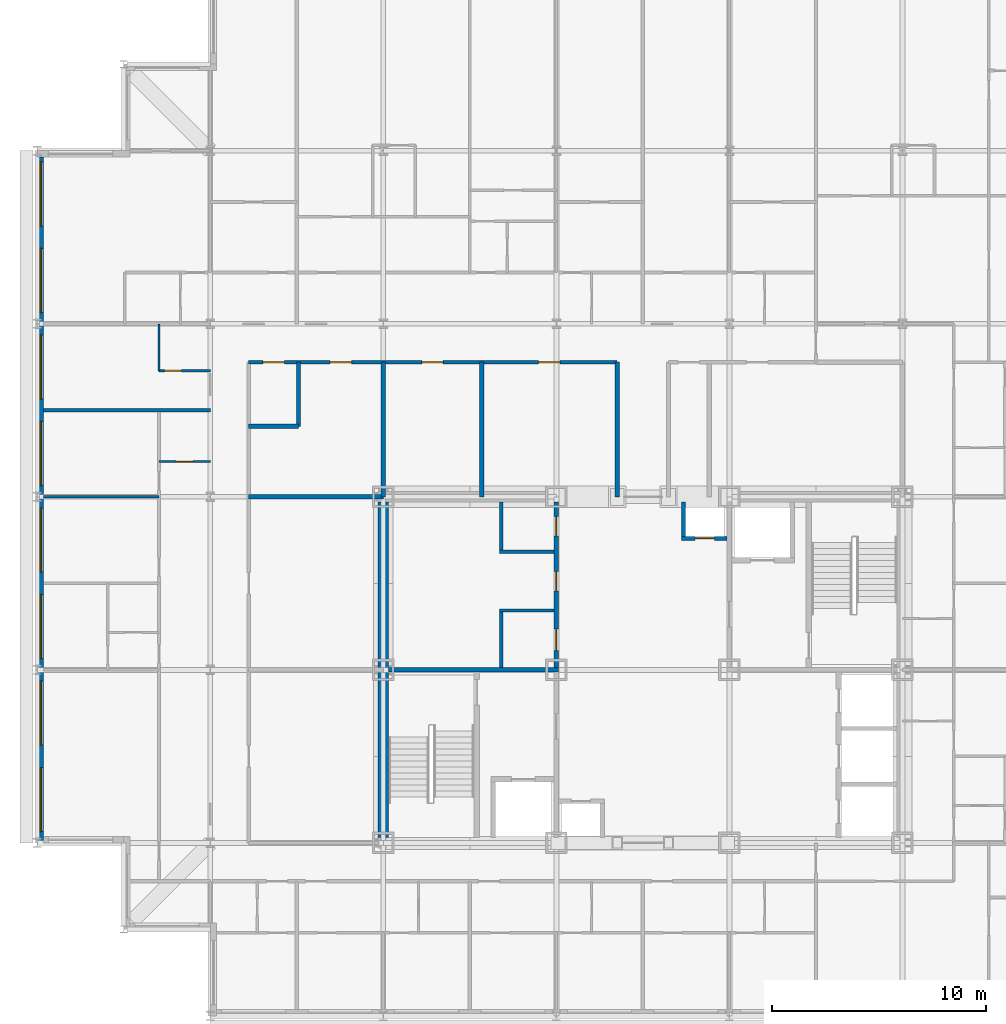
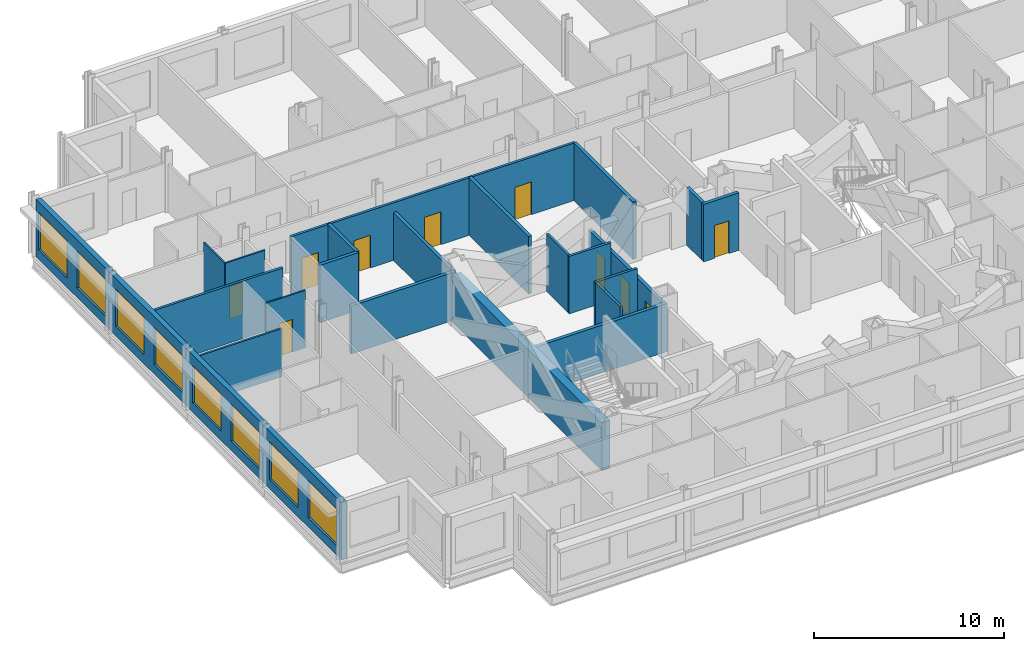
# One storey, part 9 of 16: 22 walls, 10 doors, 8 windows, 18 openings.
"""IFC4 building model written with IfcOpenShell, lengths in metres."""

from ifc_helpers import new_model, si_unit, direction, frame, frame_2d, origin, place, context, subcontext, project, spatial, rectangle, extrude, material, layer, layer_set, type_object, element, fill, save


model = new_model("IFC4")

# Units and contexts
model_context = context("Model", 3, precision=1e-05, world=origin(), true_north=direction((0.0, 1.0)))
body_context = subcontext(model_context, "Body", "Model", "MODEL_VIEW")
ifc_project = project(units=[si_unit("LENGTHUNIT", "METRE"), si_unit("AREAUNIT", "SQUARE_METRE"), si_unit("VOLUMEUNIT", "CUBIC_METRE"), si_unit("PLANEANGLEUNIT", "RADIAN"), si_unit("MASSUNIT", "GRAM", prefix="KILO")], contexts=[model_context])

# Site, building, storey
site_placement = place(None, origin())
site = spatial("IfcSite", under=ifc_project, at=site_placement, CompositionType="ELEMENT")
building_placement = place(site_placement, origin())
building = spatial("IfcBuilding", under=site, at=building_placement, Name="Kopane Lantern Tower", CompositionType="ELEMENT")
storey_placement = place(building_placement, frame((0.0, 0.0, 261.89990234375)))
storey = spatial("IfcBuildingStorey", under=building, at=storey_placement, Name="L67", CompositionType="ELEMENT", Elevation=261.89990234375)

# Wall
ifc_material_1 = material(Name="Gypsum board on steel studs", Category="steel")
ifc_layer_1 = layer(ifc_material_1, 0.1201171875)
ifc_layer_set_1 = layer_set([ifc_layer_1], Name="APARTMENT INTERNAL WALL 120")
wall_type_1 = type_object("IfcWallType", Name="APARTMENT INTERNAL WALL 120", PredefinedType="PARTITIONING", material=ifc_layer_set_1)
wall_1_placement = place(storey_placement, frame((5.699951171875, 40.5, 0.0), z_axis=(0.0, 0.0, 1.0), x_axis=(-1.0, 0.0, 0.0)))
element("IfcWall", 1, at=wall_1_placement, inside=storey, type_object=wall_type_1, Name="Apartment Internal Wall 120 L67", PredefinedType="PARTITIONING", context=body_context, shape_type="SweptSolid", body=[
    extrude(rectangle(XDim=5.39990234375, YDim=0.1201171875, at=frame_2d((2.699951171875, 0.0))), origin(), (0.0, 0.0, 1.0), 3.077880859375),
])

# Wall, opening, door
ifc_material_2 = material(Name="Moisture-resistant board on steel studs", Category="steel")
ifc_layer_2 = layer(ifc_material_2, 0.10009765625)
ifc_layer_set_2 = layer_set([ifc_layer_2], Name="BATHROOM WALL 100")
wall_type_2 = type_object("IfcWallType", Name="BATHROOM WALL 100", PredefinedType="PARTITIONING", material=ifc_layer_set_2)
wall_2_placement = place(storey_placement, frame((8.10009765625, 42.14990234375, 0.0), z_axis=(0.0, 0.0, 1.0), x_axis=(-1.0, 0.0, 0.0)))
wall_2 = element("IfcWall", 2, at=wall_2_placement, inside=storey, type_object=wall_type_2, Name="Bathroom Wall 100 L67", PredefinedType="PARTITIONING", context=body_context, shape_type="SweptSolid", body=[
    extrude(rectangle(XDim=2.400146484375, YDim=0.10009765625, at=frame_2d((1.2001953125, 0.0))), origin(), (0.0, 0.0, 1.0), 3.690185546875),
])
opening_1_placement = place(wall_2_placement, frame((0.800048828125, 0.0, 0.0)))
opening_1 = element("IfcOpeningElement", 3, at=opening_1_placement, cuts=wall_2, Name="Opening L67-031", PredefinedType="OPENING", context=body_context, shape_type="SweptSolid", body=[
    extrude(rectangle(XDim=0.800048828125, YDim=2.10009765625, at=frame_2d((0.39990234375, 1.050048828125))), frame((0.0, 0.06005859375, 0.0), z_axis=(0.0, -1.0, 0.0), x_axis=(1.0, 0.0, 0.0)), (0.0, 0.0, 1.0), 0.1201171875),
])
ifc_material_3 = material(Name="Timber door set", Category="wood")
door_type_1 = type_object("IfcDoorType", Name="DOOR D2 800x2100", OperationType="SINGLE_SWING_LEFT", PredefinedType="DOOR", material=ifc_material_3)
door_1_placement = place(opening_1_placement, origin())
door_1 = element("IfcDoor", 4, at=door_1_placement, inside=storey, type_object=door_type_1, Name="Door L67-031", OperationType="SINGLE_SWING_RIGHT", OverallHeight=2.10009765625, OverallWidth=0.800048828125, PredefinedType="DOOR", context=body_context, shape_type="SweptSolid", body=[
    extrude(rectangle(XDim=0.800048828125, YDim=2.10009765625, at=frame_2d((0.39990234375, 1.050048828125))), frame((0.0, 0.02490234375, 0.0), z_axis=(0.0, -1.0, 0.0), x_axis=(1.0, 0.0, 0.0)), (0.0, 0.0, 1.0), 0.050048828125),
])
fill(opening_1, door_1)

# Wall
wall_3_placement = place(storey_placement, frame((5.699951171875, 46.39990234375, 0.0), z_axis=(0.0, 0.0, 1.0), x_axis=(0.0, 1.0, 0.0)))
element("IfcWall", 5, at=wall_3_placement, inside=storey, type_object=wall_type_2, Name="Bathroom Wall 100 L67", PredefinedType="PARTITIONING", context=body_context, shape_type="SweptSolid", body=[
    extrude(rectangle(XDim=2.2001953125, YDim=0.10009765625, at=frame_2d((1.10009765625, 0.0))), origin(), (0.0, 0.0, 1.0), 3.690185546875),
])

# Wall, opening, door
wall_4_placement = place(storey_placement, frame((8.10009765625, 46.39990234375, 0.0), z_axis=(0.0, 0.0, 1.0), x_axis=(-1.0, 0.0, 0.0)))
wall_4 = element("IfcWall", 6, at=wall_4_placement, inside=storey, type_object=wall_type_2, Name="Bathroom Wall 100 L67", PredefinedType="PARTITIONING", context=body_context, shape_type="SweptSolid", body=[
    extrude(rectangle(XDim=2.400146484375, YDim=0.10009765625, at=frame_2d((1.2001953125, 0.0))), origin(), (0.0, 0.0, 1.0), 3.690185546875),
])
opening_2_placement = place(wall_4_placement, frame((1.35009765625, 0.0, 0.0)))
opening_2 = element("IfcOpeningElement", 7, at=opening_2_placement, cuts=wall_4, Name="Opening L67-038", PredefinedType="OPENING", context=body_context, shape_type="SweptSolid", body=[
    extrude(rectangle(XDim=0.800048828125, YDim=2.10009765625, at=frame_2d((0.39990234375, 1.050048828125))), frame((0.0, 0.06005859375, 0.0), z_axis=(0.0, -1.0, 0.0), x_axis=(1.0, 0.0, 0.0)), (0.0, 0.0, 1.0), 0.1201171875),
])
door_2_placement = place(opening_2_placement, origin())
door_2 = element("IfcDoor", 8, at=door_2_placement, inside=storey, type_object=door_type_1, Name="Door L67-038", OperationType="SINGLE_SWING_LEFT", OverallHeight=2.10009765625, OverallWidth=0.800048828125, PredefinedType="DOOR", context=body_context, shape_type="SweptSolid", body=[
    extrude(rectangle(XDim=0.800048828125, YDim=2.10009765625, at=frame_2d((0.39990234375, 1.050048828125))), frame((0.0, 0.02490234375, 0.0), z_axis=(0.0, -1.0, 0.0), x_axis=(1.0, 0.0, 0.0)), (0.0, 0.0, 1.0), 0.050048828125),
])
fill(opening_2, door_2)

# Walls
ifc_material_4 = material(Name="Gypsum shaft wall EI 120", Category="gypsum")
ifc_layer_3 = layer(ifc_material_4, 0.5)
ifc_layer_set_3 = layer_set([ifc_layer_3], Name="CORE PERIMETER WALL 500 EI 120")
wall_type_3 = type_object("IfcWallType", Name="CORE PERIMETER WALL 500 EI 120", PredefinedType="SOLIDWALL", material=ifc_layer_set_3)
wall_5_placement = place(storey_placement, frame((16.199951171875, 24.550048828125, 0.0), z_axis=(0.0, 0.0, 1.0), x_axis=(0.0, 1.0, 0.0)))
element("IfcWall", 9, at=wall_5_placement, inside=storey, type_object=wall_type_3, Name="Core shaft wall L67 PW", PredefinedType="SOLIDWALL", context=body_context, shape_type="SweptSolid", body=[
    extrude(rectangle(XDim=15.699951171875, YDim=0.5, at=frame_2d((7.85009765625, 0.0))), origin(), (0.0, 0.0, 1.0), 3.077880859375),
])
ifc_material_5 = material(Name="Gypsum partition EI 60", Category="gypsum")
ifc_layer_4 = layer(ifc_material_5, 0.14990234375)
ifc_layer_set_4 = layer_set([ifc_layer_4], Name="CORE ROOM PARTITION 150 EI 60")
wall_type_4 = type_object("IfcWallType", Name="CORE ROOM PARTITION 150 EI 60", PredefinedType="PARTITIONING", material=ifc_layer_set_4)
for number, where, z_axis, x_axis, name in (
    (10, (21.64990234375, 35.175048828125, 0.0), (0.0, 0.0, 1.0), (1.0, 0.0, 0.0), "Core room partition L67 WW1"),
    (11, (21.64990234375, 37.925048828125, 0.0), (0.0, 0.0, 1.0), (1.0, 0.0, 0.0), "Core room partition L67 WW2"),
):
    element("IfcWall", number, at=place(storey_placement, frame(where, z_axis=z_axis, x_axis=x_axis)), inside=storey, type_object=wall_type_4, Name=name, PredefinedType="PARTITIONING", context=body_context, shape_type="SweptSolid", body=[
        extrude(rectangle(XDim=2.550048828125, YDim=0.14990234375, at=frame_2d((1.27490234375, 0.0))), origin(), (0.0, 0.0, 1.0), 3.690185546875),
    ])
wall_6_placement = place(storey_placement, frame((21.72509765625, 32.5, 0.0), z_axis=(0.0, 0.0, 1.0), x_axis=(0.0, 1.0, 0.0)))
element("IfcWall", 12, at=wall_6_placement, inside=storey, type_object=wall_type_4, Name="Core room partition L67 WWB0", PredefinedType="PARTITIONING", context=body_context, shape_type="SweptSolid", body=[
    extrude(rectangle(XDim=2.60009765625, YDim=0.14990234375, at=frame_2d((1.300048828125, 0.0))), origin(), (0.0, 0.0, 1.0), 3.690185546875),
])
wall_7_placement = place(storey_placement, frame((21.72509765625, 38.0, 0.0), z_axis=(0.0, 0.0, 1.0), x_axis=(0.0, 1.0, 0.0)))
element("IfcWall", 13, at=wall_7_placement, inside=storey, type_object=wall_type_4, Name="Core room partition L67 WWB1", PredefinedType="PARTITIONING", context=body_context, shape_type="SweptSolid", body=[
    extrude(rectangle(XDim=2.25, YDim=0.14990234375, at=frame_2d((1.125, 0.0))), origin(), (0.0, 0.0, 1.0), 3.690185546875),
])

# Wall, openings, doors
ifc_material_6 = material(Name="Gypsum partition EI 60", Category="gypsum")
ifc_layer_5 = layer(ifc_material_6, 0.199951171875)
ifc_layer_set_5 = layer_set([ifc_layer_5], Name="CORE ROOM WALL 200 EI 60")
wall_type_5 = type_object("IfcWallType", Name="CORE ROOM WALL 200 EI 60", PredefinedType="PARTITIONING", material=ifc_layer_set_5)
wall_8_placement = place(storey_placement, frame((24.300048828125, 32.5, 0.0), z_axis=(0.0, 0.0, 1.0), x_axis=(0.0, 1.0, 0.0)))
wall_8 = element("IfcWall", 14, at=wall_8_placement, inside=storey, type_object=wall_type_5, Name="Core room wall L67 XW", PredefinedType="PARTITIONING", context=body_context, shape_type="SweptSolid", body=[
    extrude(rectangle(XDim=7.75, YDim=0.199951171875, at=frame_2d((3.875, 0.0))), origin(), (0.0, 0.0, 1.0), 3.077880859375),
])
opening_3_placement = place(wall_8_placement, frame((0.800048828125, 0.0, 0.0)))
opening_3 = element("IfcOpeningElement", 15, at=opening_3_placement, cuts=wall_8, Name="Opening 67.C30", PredefinedType="OPENING", context=body_context, shape_type="SweptSolid", body=[
    extrude(rectangle(XDim=1.0, YDim=2.10009765625, at=frame_2d((0.5, 1.050048828125))), frame((0.0, 0.10986328125, 0.0), z_axis=(0.0, -1.0, 0.0), x_axis=(1.0, 0.0, 0.0)), (0.0, 0.0, 1.0), 0.219970703125),
])
opening_4_placement = place(wall_8_placement, frame((3.60009765625, 0.0, 0.0)))
opening_4 = element("IfcOpeningElement", 16, at=opening_4_placement, cuts=wall_8, Name="Opening 67.C31", PredefinedType="OPENING", context=body_context, shape_type="SweptSolid", body=[
    extrude(rectangle(XDim=0.89990234375, YDim=2.10009765625, at=frame_2d((0.449951171875, 1.050048828125))), frame((0.0, 0.10986328125, 0.0), z_axis=(0.0, -1.0, 0.0), x_axis=(1.0, 0.0, 0.0)), (0.0, 0.0, 1.0), 0.219970703125),
])
opening_5_placement = place(wall_8_placement, frame((6.175048828125, 0.0, 0.0)))
opening_5 = element("IfcOpeningElement", 17, at=opening_5_placement, cuts=wall_8, Name="Opening 67.C32", PredefinedType="OPENING", context=body_context, shape_type="SweptSolid", body=[
    extrude(rectangle(XDim=0.89990234375, YDim=2.10009765625, at=frame_2d((0.449951171875, 1.050048828125))), frame((0.0, 0.10986328125, 0.0), z_axis=(0.0, -1.0, 0.0), x_axis=(1.0, 0.0, 0.0)), (0.0, 0.0, 1.0), 0.219970703125),
])
ifc_material_7 = material(Name="Steel door set", Category="steel")
door_type_2 = type_object("IfcDoorType", Name="CORE ROOM DOOR 1000x2100 FD30S", OperationType="SINGLE_SWING_RIGHT", PredefinedType="DOOR", material=ifc_material_7)
door_3_placement = place(opening_3_placement, origin())
door_3 = element("IfcDoor", 18, at=door_3_placement, inside=storey, type_object=door_type_2, Name="Door Concierge pantry L67", OperationType="SINGLE_SWING_LEFT", OverallHeight=2.10009765625, OverallWidth=1.0, PredefinedType="DOOR", context=body_context, shape_type="SweptSolid", body=[
    extrude(rectangle(XDim=1.0, YDim=2.10009765625, at=frame_2d((0.5, 1.050048828125))), frame((0.0, 0.02490234375, 0.0), z_axis=(0.0, -1.0, 0.0), x_axis=(1.0, 0.0, 0.0)), (0.0, 0.0, 1.0), 0.050048828125),
])
fill(opening_3, door_3)
ifc_material_8 = material(Name="Steel door set", Category="steel")
door_type_3 = type_object("IfcDoorType", Name="CORE ROOM DOOR 900x2100 FD60", OperationType="SINGLE_SWING_LEFT", PredefinedType="DOOR", material=ifc_material_8)
door_4_placement = place(opening_4_placement, origin())
door_4 = element("IfcDoor", 19, at=door_4_placement, inside=storey, type_object=door_type_3, Name="Door Residents storage L67", OperationType="SINGLE_SWING_RIGHT", OverallHeight=2.10009765625, OverallWidth=0.89990234375, PredefinedType="DOOR", context=body_context, shape_type="SweptSolid", body=[
    extrude(rectangle(XDim=0.89990234375, YDim=2.10009765625, at=frame_2d((0.449951171875, 1.050048828125))), frame((0.0, 0.02490234375, 0.0), z_axis=(0.0, -1.0, 0.0), x_axis=(1.0, 0.0, 0.0)), (0.0, 0.0, 1.0), 0.050048828125),
])
fill(opening_4, door_4)
door_5_placement = place(opening_5_placement, origin())
door_5 = element("IfcDoor", 20, at=door_5_placement, inside=storey, type_object=door_type_3, Name="Door Cleaner store L67", OperationType="SINGLE_SWING_LEFT", OverallHeight=2.10009765625, OverallWidth=0.89990234375, PredefinedType="DOOR", context=body_context, shape_type="SweptSolid", body=[
    extrude(rectangle(XDim=0.89990234375, YDim=2.10009765625, at=frame_2d((0.449951171875, 1.050048828125))), frame((0.0, 0.02490234375, 0.0), z_axis=(0.0, -1.0, 0.0), x_axis=(1.0, 0.0, 0.0)), (0.0, 0.0, 1.0), 0.050048828125),
])
fill(opening_5, door_5)

ifc_material_9 = material(Name="Gypsum board on steel studs", Category="steel")
ifc_layer_6 = layer(ifc_material_9, 0.14990234375)
ifc_layer_set_6 = layer_set([ifc_layer_6], Name="CORRIDOR WALL 150 EI 60")
wall_type_6 = type_object("IfcWallType", Name="CORRIDOR WALL 150 EI 60", PredefinedType="PARTITIONING", material=ifc_layer_set_6)
wall_9_placement = place(storey_placement, frame((9.89990234375, 46.800048828125, 0.0), z_axis=(0.0, 0.0, 1.0), x_axis=(1.0, 0.0, 0.0)))
wall_9 = element("IfcWall", 21, at=wall_9_placement, inside=storey, type_object=wall_type_6, Name="Corridor Wall 150 Ei 60 L67", PredefinedType="PARTITIONING", context=body_context, shape_type="SweptSolid", body=[
    extrude(rectangle(XDim=17.239990234375, YDim=0.14990234375, at=frame_2d((8.6201171875, 0.0))), origin(), (0.0, 0.0, 1.0), 3.690185546875),
])
opening_6_placement = place(wall_9_placement, frame((0.666748046875, 0.0, 0.0)))
opening_6 = element("IfcOpeningElement", 22, at=opening_6_placement, cuts=wall_9, Name="Opening L67-003", PredefinedType="OPENING", context=body_context, shape_type="SweptSolid", body=[
    extrude(rectangle(XDim=1.0, YDim=2.10009765625, at=frame_2d((0.5, 1.050048828125))), frame((0.0, 0.0849609375, 0.0), z_axis=(0.0, -1.0, 0.0), x_axis=(1.0, 0.0, 0.0)), (0.0, 0.0, 1.0), 0.169921875),
])
opening_7_placement = place(wall_9_placement, frame((3.816650390625, 0.0, 0.0)))
opening_7 = element("IfcOpeningElement", 23, at=opening_7_placement, cuts=wall_9, Name="Opening L67-004", PredefinedType="OPENING", context=body_context, shape_type="SweptSolid", body=[
    extrude(rectangle(XDim=1.0, YDim=2.10009765625, at=frame_2d((0.5, 1.050048828125))), frame((0.0, 0.0849609375, 0.0), z_axis=(0.0, -1.0, 0.0), x_axis=(1.0, 0.0, 0.0)), (0.0, 0.0, 1.0), 0.169921875),
])
opening_8_placement = place(wall_9_placement, frame((8.1015625, 0.0, 0.0)))
opening_8 = element("IfcOpeningElement", 24, at=opening_8_placement, cuts=wall_9, Name="Opening L67-005", PredefinedType="OPENING", context=body_context, shape_type="SweptSolid", body=[
    extrude(rectangle(XDim=1.0, YDim=2.10009765625, at=frame_2d((0.5, 1.050048828125))), frame((0.0, 0.0849609375, 0.0), z_axis=(0.0, -1.0, 0.0), x_axis=(1.0, 0.0, 0.0)), (0.0, 0.0, 1.0), 0.169921875),
])
opening_9_placement = place(wall_9_placement, frame((13.57666015625, 0.0, 0.0)))
opening_9 = element("IfcOpeningElement", 25, at=opening_9_placement, cuts=wall_9, Name="Opening L67-006", PredefinedType="OPENING", context=body_context, shape_type="SweptSolid", body=[
    extrude(rectangle(XDim=1.0, YDim=2.10009765625, at=frame_2d((0.5, 1.050048828125))), frame((0.0, 0.0849609375, 0.0), z_axis=(0.0, -1.0, 0.0), x_axis=(1.0, 0.0, 0.0)), (0.0, 0.0, 1.0), 0.169921875),
])
ifc_material_10 = material(Name="Steel door set", Category="steel")
door_type_4 = type_object("IfcDoorType", Name="DOOR D5 1000x2100 FD60", OperationType="SINGLE_SWING_LEFT", PredefinedType="DOOR", material=ifc_material_10)
door_6_placement = place(opening_6_placement, origin())
door_6 = element("IfcDoor", 26, at=door_6_placement, inside=storey, type_object=door_type_4, Name="Door L67-003", OperationType="SINGLE_SWING_RIGHT", OverallHeight=2.10009765625, OverallWidth=1.0, PredefinedType="DOOR", context=body_context, shape_type="SweptSolid", body=[
    extrude(rectangle(XDim=1.0, YDim=2.10009765625, at=frame_2d((0.5, 1.050048828125))), frame((0.0, 0.02490234375, 0.0), z_axis=(0.0, -1.0, 0.0), x_axis=(1.0, 0.0, 0.0)), (0.0, 0.0, 1.0), 0.050048828125),
])
fill(opening_6, door_6)
door_7_placement = place(opening_7_placement, origin())
door_7 = element("IfcDoor", 27, at=door_7_placement, inside=storey, type_object=door_type_4, Name="Door L67-004", OperationType="SINGLE_SWING_LEFT", OverallHeight=2.10009765625, OverallWidth=1.0, PredefinedType="DOOR", context=body_context, shape_type="SweptSolid", body=[
    extrude(rectangle(XDim=1.0, YDim=2.10009765625, at=frame_2d((0.5, 1.050048828125))), frame((0.0, 0.02490234375, 0.0), z_axis=(0.0, -1.0, 0.0), x_axis=(1.0, 0.0, 0.0)), (0.0, 0.0, 1.0), 0.050048828125),
])
fill(opening_7, door_7)
door_8_placement = place(opening_8_placement, origin())
door_8 = element("IfcDoor", 28, at=door_8_placement, inside=storey, type_object=door_type_4, Name="Door L67-005", OperationType="SINGLE_SWING_RIGHT", OverallHeight=2.10009765625, OverallWidth=1.0, PredefinedType="DOOR", context=body_context, shape_type="SweptSolid", body=[
    extrude(rectangle(XDim=1.0, YDim=2.10009765625, at=frame_2d((0.5, 1.050048828125))), frame((0.0, 0.02490234375, 0.0), z_axis=(0.0, -1.0, 0.0), x_axis=(1.0, 0.0, 0.0)), (0.0, 0.0, 1.0), 0.050048828125),
])
fill(opening_8, door_8)
door_9_placement = place(opening_9_placement, origin())
door_9 = element("IfcDoor", 29, at=door_9_placement, inside=storey, type_object=door_type_4, Name="Door L67-006", OperationType="SINGLE_SWING_LEFT", OverallHeight=2.10009765625, OverallWidth=1.0, PredefinedType="DOOR", context=body_context, shape_type="SweptSolid", body=[
    extrude(rectangle(XDim=1.0, YDim=2.10009765625, at=frame_2d((0.5, 1.050048828125))), frame((0.0, 0.02490234375, 0.0), z_axis=(0.0, -1.0, 0.0), x_axis=(1.0, 0.0, 0.0)), (0.0, 0.0, 1.0), 0.050048828125),
])
fill(opening_9, door_9)

# Wall
ifc_material_11 = material(Name="Gypsum board on steel studs", Category="steel")
ifc_layer_7 = layer(ifc_material_11, 0.14990234375)
ifc_layer_set_7 = layer_set([ifc_layer_7], Name="DEMISING WALL 150 EI 60")
wall_type_7 = type_object("IfcWallType", Name="DEMISING WALL 150 EI 60", PredefinedType="PARTITIONING", material=ifc_layer_set_7)
wall_10_placement = place(storey_placement, frame((8.10009765625, 44.550048828125, 0.0), z_axis=(0.0, 0.0, 1.0), x_axis=(-1.0, 0.0, 0.0)))
element("IfcWall", 30, at=wall_10_placement, inside=storey, type_object=wall_type_7, Name="Demising Wall 150 Ei 60 L67", PredefinedType="PARTITIONING", context=body_context, shape_type="SweptSolid", body=[
    extrude(rectangle(XDim=7.800048828125, YDim=0.14990234375, at=frame_2d((3.89990234375, 0.0))), origin(), (0.0, 0.0, 1.0), 3.690185546875),
])

# Wall, openings, windows
ifc_material_12 = material(Name="Terracotta rainscreen on light steel framing", Category="masonry")
ifc_layer_8 = layer(ifc_material_12, 0.300048828125)
ifc_layer_set_8 = layer_set([ifc_layer_8], Name="EXTERNAL WALL EW1 300 TERRACOTTA")
wall_type_8 = type_object("IfcWallType", Name="EXTERNAL WALL EW1 300 TERRACOTTA", PredefinedType="SOLIDWALL", material=ifc_layer_set_8)
wall_11_placement = place(storey_placement, frame((0.14990234375, 56.39990234375, 0.0), z_axis=(0.0, 0.0, 1.0), x_axis=(0.0, -1.0, 0.0)))
wall_11 = element("IfcWall", 31, at=wall_11_placement, inside=storey, type_object=wall_type_8, Name="External wall W L67", PredefinedType="SOLIDWALL", context=body_context, shape_type="SweptSolid", body=[
    extrude(rectangle(XDim=32.099853515625, YDim=0.300048828125, at=frame_2d((16.0498046875, 0.0))), origin(), (0.0, 0.0, 1.0), 3.690185546875),
])
opening_10_placement = place(wall_11_placement, frame((0.22509765625, 0.0, 0.60009765625)))
opening_10 = element("IfcOpeningElement", 32, at=opening_10_placement, cuts=wall_11, Name="Opening WR300240", PredefinedType="OPENING", context=body_context, shape_type="SweptSolid", body=[
    extrude(rectangle(XDim=3.0, YDim=2.39990234375, at=frame_2d((1.5, 1.199951171875))), frame((0.0, 0.159912109375, 0.0), z_axis=(0.0, -1.0, 0.0), x_axis=(1.0, 0.0, 0.0)), (0.0, 0.0, 1.0), 0.320068359375),
])
opening_11_placement = place(wall_11_placement, frame((4.27490234375, 0.0, 0.60009765625)))
opening_11 = element("IfcOpeningElement", 33, at=opening_11_placement, cuts=wall_11, Name="Opening WR300240", PredefinedType="OPENING", context=body_context, shape_type="SweptSolid", body=[
    extrude(rectangle(XDim=3.0, YDim=2.39990234375, at=frame_2d((1.5, 1.199951171875))), frame((0.0, 0.159912109375, 0.0), z_axis=(0.0, -1.0, 0.0), x_axis=(1.0, 0.0, 0.0)), (0.0, 0.0, 1.0), 0.320068359375),
])
opening_12_placement = place(wall_11_placement, frame((8.324951171875, 0.0, 0.60009765625)))
opening_12 = element("IfcOpeningElement", 34, at=opening_12_placement, cuts=wall_11, Name="Opening WR300240", PredefinedType="OPENING", context=body_context, shape_type="SweptSolid", body=[
    extrude(rectangle(XDim=3.0, YDim=2.39990234375, at=frame_2d((1.5, 1.199951171875))), frame((0.0, 0.159912109375, 0.0), z_axis=(0.0, -1.0, 0.0), x_axis=(1.0, 0.0, 0.0)), (0.0, 0.0, 1.0), 0.320068359375),
])
opening_13_placement = place(wall_11_placement, frame((12.375, 0.0, 0.60009765625)))
opening_13 = element("IfcOpeningElement", 35, at=opening_13_placement, cuts=wall_11, Name="Opening WR300240", PredefinedType="OPENING", context=body_context, shape_type="SweptSolid", body=[
    extrude(rectangle(XDim=3.0, YDim=2.39990234375, at=frame_2d((1.5, 1.199951171875))), frame((0.0, 0.159912109375, 0.0), z_axis=(0.0, -1.0, 0.0), x_axis=(1.0, 0.0, 0.0)), (0.0, 0.0, 1.0), 0.320068359375),
])
opening_14_placement = place(wall_11_placement, frame((16.425048828125, 0.0, 0.60009765625)))
opening_14 = element("IfcOpeningElement", 36, at=opening_14_placement, cuts=wall_11, Name="Opening WR300240", PredefinedType="OPENING", context=body_context, shape_type="SweptSolid", body=[
    extrude(rectangle(XDim=3.0, YDim=2.39990234375, at=frame_2d((1.5, 1.199951171875))), frame((0.0, 0.159912109375, 0.0), z_axis=(0.0, -1.0, 0.0), x_axis=(1.0, 0.0, 0.0)), (0.0, 0.0, 1.0), 0.320068359375),
])
opening_15_placement = place(wall_11_placement, frame((20.47509765625, 0.0, 0.60009765625)))
opening_15 = element("IfcOpeningElement", 37, at=opening_15_placement, cuts=wall_11, Name="Opening WR300240", PredefinedType="OPENING", context=body_context, shape_type="SweptSolid", body=[
    extrude(rectangle(XDim=3.0, YDim=2.39990234375, at=frame_2d((1.5, 1.199951171875))), frame((0.0, 0.159912109375, 0.0), z_axis=(0.0, -1.0, 0.0), x_axis=(1.0, 0.0, 0.0)), (0.0, 0.0, 1.0), 0.320068359375),
])
opening_16_placement = place(wall_11_placement, frame((24.52490234375, 0.0, 0.60009765625)))
opening_16 = element("IfcOpeningElement", 38, at=opening_16_placement, cuts=wall_11, Name="Opening WR300240", PredefinedType="OPENING", context=body_context, shape_type="SweptSolid", body=[
    extrude(rectangle(XDim=3.0, YDim=2.39990234375, at=frame_2d((1.5, 1.199951171875))), frame((0.0, 0.159912109375, 0.0), z_axis=(0.0, -1.0, 0.0), x_axis=(1.0, 0.0, 0.0)), (0.0, 0.0, 1.0), 0.320068359375),
])
opening_17_placement = place(wall_11_placement, frame((28.574951171875, 0.0, 0.60009765625)))
opening_17 = element("IfcOpeningElement", 39, at=opening_17_placement, cuts=wall_11, Name="Opening WR300240", PredefinedType="OPENING", context=body_context, shape_type="SweptSolid", body=[
    extrude(rectangle(XDim=3.0, YDim=2.39990234375, at=frame_2d((1.5, 1.199951171875))), frame((0.0, 0.159912109375, 0.0), z_axis=(0.0, -1.0, 0.0), x_axis=(1.0, 0.0, 0.0)), (0.0, 0.0, 1.0), 0.320068359375),
])
ifc_material_13 = material(Name="Aluminium and clear glass", Category="aluminium")
window_type = type_object("IfcWindowType", Name="RIBBON WINDOW WR300240 3000x2400", PartitioningType="SINGLE_PANEL", PredefinedType="WINDOW", material=ifc_material_13)
window_1_placement = place(opening_10_placement, origin())
window_1 = element("IfcWindow", 40, at=window_1_placement, inside=storey, type_object=window_type, Name="Window W L67", OverallHeight=2.39990234375, OverallWidth=3.0, PartitioningType="SINGLE_PANEL", PredefinedType="WINDOW", context=body_context, shape_type="SweptSolid", body=[
    extrude(rectangle(XDim=3.0, YDim=2.39990234375, at=frame_2d((1.5, 1.199951171875))), frame((0.0, 0.030029296875, 0.0), z_axis=(0.0, -1.0, 0.0), x_axis=(1.0, 0.0, 0.0)), (0.0, 0.0, 1.0), 0.06005859375),
])
fill(opening_10, window_1)
window_2_placement = place(opening_11_placement, origin())
window_2 = element("IfcWindow", 41, at=window_2_placement, inside=storey, type_object=window_type, Name="Window W L67", OverallHeight=2.39990234375, OverallWidth=3.0, PartitioningType="SINGLE_PANEL", PredefinedType="WINDOW", context=body_context, shape_type="SweptSolid", body=[
    extrude(rectangle(XDim=3.0, YDim=2.39990234375, at=frame_2d((1.5, 1.199951171875))), frame((0.0, 0.030029296875, 0.0), z_axis=(0.0, -1.0, 0.0), x_axis=(1.0, 0.0, 0.0)), (0.0, 0.0, 1.0), 0.06005859375),
])
fill(opening_11, window_2)
window_3_placement = place(opening_12_placement, origin())
window_3 = element("IfcWindow", 42, at=window_3_placement, inside=storey, type_object=window_type, Name="Window W L67", OverallHeight=2.39990234375, OverallWidth=3.0, PartitioningType="SINGLE_PANEL", PredefinedType="WINDOW", context=body_context, shape_type="SweptSolid", body=[
    extrude(rectangle(XDim=3.0, YDim=2.39990234375, at=frame_2d((1.5, 1.199951171875))), frame((0.0, 0.030029296875, 0.0), z_axis=(0.0, -1.0, 0.0), x_axis=(1.0, 0.0, 0.0)), (0.0, 0.0, 1.0), 0.06005859375),
])
fill(opening_12, window_3)
window_4_placement = place(opening_13_placement, origin())
window_4 = element("IfcWindow", 43, at=window_4_placement, inside=storey, type_object=window_type, Name="Window W L67", OverallHeight=2.39990234375, OverallWidth=3.0, PartitioningType="SINGLE_PANEL", PredefinedType="WINDOW", context=body_context, shape_type="SweptSolid", body=[
    extrude(rectangle(XDim=3.0, YDim=2.39990234375, at=frame_2d((1.5, 1.199951171875))), frame((0.0, 0.030029296875, 0.0), z_axis=(0.0, -1.0, 0.0), x_axis=(1.0, 0.0, 0.0)), (0.0, 0.0, 1.0), 0.06005859375),
])
fill(opening_13, window_4)
window_5_placement = place(opening_14_placement, origin())
window_5 = element("IfcWindow", 44, at=window_5_placement, inside=storey, type_object=window_type, Name="Window W L67", OverallHeight=2.39990234375, OverallWidth=3.0, PartitioningType="SINGLE_PANEL", PredefinedType="WINDOW", context=body_context, shape_type="SweptSolid", body=[
    extrude(rectangle(XDim=3.0, YDim=2.39990234375, at=frame_2d((1.5, 1.199951171875))), frame((0.0, 0.030029296875, 0.0), z_axis=(0.0, -1.0, 0.0), x_axis=(1.0, 0.0, 0.0)), (0.0, 0.0, 1.0), 0.06005859375),
])
fill(opening_14, window_5)
window_6_placement = place(opening_15_placement, origin())
window_6 = element("IfcWindow", 45, at=window_6_placement, inside=storey, type_object=window_type, Name="Window W L67", OverallHeight=2.39990234375, OverallWidth=3.0, PartitioningType="SINGLE_PANEL", PredefinedType="WINDOW", context=body_context, shape_type="SweptSolid", body=[
    extrude(rectangle(XDim=3.0, YDim=2.39990234375, at=frame_2d((1.5, 1.199951171875))), frame((0.0, 0.030029296875, 0.0), z_axis=(0.0, -1.0, 0.0), x_axis=(1.0, 0.0, 0.0)), (0.0, 0.0, 1.0), 0.06005859375),
])
fill(opening_15, window_6)
window_7_placement = place(opening_16_placement, origin())
window_7 = element("IfcWindow", 46, at=window_7_placement, inside=storey, type_object=window_type, Name="Window W L67", OverallHeight=2.39990234375, OverallWidth=3.0, PartitioningType="SINGLE_PANEL", PredefinedType="WINDOW", context=body_context, shape_type="SweptSolid", body=[
    extrude(rectangle(XDim=3.0, YDim=2.39990234375, at=frame_2d((1.5, 1.199951171875))), frame((0.0, 0.030029296875, 0.0), z_axis=(0.0, -1.0, 0.0), x_axis=(1.0, 0.0, 0.0)), (0.0, 0.0, 1.0), 0.06005859375),
])
fill(opening_16, window_7)
window_8_placement = place(opening_17_placement, origin())
window_8 = element("IfcWindow", 47, at=window_8_placement, inside=storey, type_object=window_type, Name="Window W L67", OverallHeight=2.39990234375, OverallWidth=3.0, PartitioningType="SINGLE_PANEL", PredefinedType="WINDOW", context=body_context, shape_type="SweptSolid", body=[
    extrude(rectangle(XDim=3.0, YDim=2.39990234375, at=frame_2d((1.5, 1.199951171875))), frame((0.0, 0.030029296875, 0.0), z_axis=(0.0, -1.0, 0.0), x_axis=(1.0, 0.0, 0.0)), (0.0, 0.0, 1.0), 0.06005859375),
])
fill(opening_17, window_8)

# Walls
ifc_material_14 = material(Name="Concrete masonry", Category="masonry")
ifc_layer_9 = layer(ifc_material_14, 0.199951171875)
ifc_layer_set_9 = layer_set([ifc_layer_9], Name="PLANT ROOM WALL 200 EI 120")
wall_type_9 = type_object("IfcWallType", Name="PLANT ROOM WALL 200 EI 120", PredefinedType="SOLIDWALL", material=ifc_layer_set_9)
wall_12_placement = place(storey_placement, frame((16.199951171875, 40.5, 0.0), z_axis=(0.0, 0.0, 1.0), x_axis=(0.0, 1.0, 0.0)))
element("IfcWall", 48, at=wall_12_placement, inside=storey, type_object=wall_type_9, Name="Plant Room Wall 200 Ei 120 L67", PredefinedType="SOLIDWALL", context=body_context, shape_type="SweptSolid", body=[
    extrude(rectangle(XDim=6.300048828125, YDim=0.199951171875, at=frame_2d((3.14990234375, 0.0))), origin(), (0.0, 0.0, 1.0), 3.077880859375),
])
wall_13_placement = place(storey_placement, frame((12.2333984375, 46.800048828125, 0.0), z_axis=(0.0, 0.0, 1.0), x_axis=(0.0, -1.0, 0.0)))
element("IfcWall", 49, at=wall_13_placement, inside=storey, type_object=wall_type_9, Name="Plant Room Wall 200 Ei 120 L67", PredefinedType="SOLIDWALL", context=body_context, shape_type="SweptSolid", body=[
    extrude(rectangle(XDim=3.0, YDim=0.199951171875, at=frame_2d((1.5, 0.0))), origin(), (0.0, 0.0, 1.0), 3.690185546875),
])
wall_14_placement = place(storey_placement, frame((9.89990234375, 43.800048828125, 0.0), z_axis=(0.0, 0.0, 1.0), x_axis=(1.0, 0.0, 0.0)))
element("IfcWall", 50, at=wall_14_placement, inside=storey, type_object=wall_type_9, Name="Plant Room Wall 200 Ei 120 L67", PredefinedType="SOLIDWALL", context=body_context, shape_type="SweptSolid", body=[
    extrude(rectangle(XDim=2.33349609375, YDim=0.199951171875, at=frame_2d((1.166748046875, 0.0))), origin(), (0.0, 0.0, 1.0), 3.690185546875),
])
for number, where, z_axis, x_axis, name in (
    (51, (20.80322265625, 46.800048828125, 0.0), (0.0, 0.0, 1.0), (0.0, -1.0, 0.0), "Plant Room Wall 200 Ei 120 L67"),
    (52, (27.14990234375, 40.5, 0.0), (0.0, 0.0, 1.0), (0.0, 1.0, 0.0), "Plant Room Wall 200 Ei 120 L67"),
):
    element("IfcWall", number, at=place(storey_placement, frame(where, z_axis=z_axis, x_axis=x_axis)), inside=storey, type_object=wall_type_9, Name=name, PredefinedType="SOLIDWALL", context=body_context, shape_type="SweptSolid", body=[
        extrude(rectangle(XDim=6.300048828125, YDim=0.199951171875, at=frame_2d((3.14990234375, 0.0))), origin(), (0.0, 0.0, 1.0), 3.690185546875),
    ])
wall_15_placement = place(storey_placement, frame((9.89990234375, 40.5, 0.0), z_axis=(0.0, 0.0, 1.0), x_axis=(1.0, 0.0, 0.0)))
element("IfcWall", 53, at=wall_15_placement, inside=storey, type_object=wall_type_9, Name="Plant Room Wall 200 Ei 120 L67", PredefinedType="SOLIDWALL", context=body_context, shape_type="SweptSolid", body=[
    extrude(rectangle(XDim=6.300048828125, YDim=0.199951171875, at=frame_2d((3.14990234375, 0.0))), origin(), (0.0, 0.0, 1.0), 3.077880859375),
])
ifc_material_15 = material(Name="Gypsum shaft wall EI 120", Category="gypsum")
ifc_layer_10 = layer(ifc_material_15, 0.199951171875)
ifc_layer_set_10 = layer_set([ifc_layer_10], Name="SHAFT WALL 200 EI 120")
wall_type_10 = type_object("IfcWallType", Name="SHAFT WALL 200 EI 120", PredefinedType="SOLIDWALL", material=ifc_layer_set_10)
wall_16_placement = place(storey_placement, frame((16.449951171875, 32.39990234375, 0.0), z_axis=(0.0, 0.0, 1.0), x_axis=(1.0, 0.0, 0.0)))
element("IfcWall", 54, at=wall_16_placement, inside=storey, type_object=wall_type_10, Name="Core shaft wall L67 Y324W", PredefinedType="SOLIDWALL", context=body_context, shape_type="SweptSolid", body=[
    extrude(rectangle(XDim=7.949951171875, YDim=0.199951171875, at=frame_2d((3.97509765625, 0.0))), origin(), (0.0, 0.0, 1.0), 3.077880859375),
])
wall_17_placement = place(storey_placement, frame((30.25, 38.64990234375, 0.0), z_axis=(0.0, 0.0, 1.0), x_axis=(0.0, 1.0, 0.0)))
element("IfcWall", 55, at=wall_17_placement, inside=storey, type_object=wall_type_10, Name="Core shaft wall L67 XRS2", PredefinedType="SOLIDWALL", context=body_context, shape_type="SweptSolid", body=[
    extrude(rectangle(XDim=1.60009765625, YDim=0.199951171875, at=frame_2d((0.800048828125, 0.0))), origin(), (0.0, 0.0, 1.0), 3.690185546875),
])

# Wall, opening, door
wall_18_placement = place(storey_placement, frame((30.14990234375, 38.550048828125, 0.0), z_axis=(0.0, 0.0, 1.0), x_axis=(1.0, 0.0, 0.0)))
wall_18 = element("IfcWall", 56, at=wall_18_placement, inside=storey, type_object=wall_type_10, Name="Core shaft wall L67 YRS2", PredefinedType="SOLIDWALL", context=body_context, shape_type="SweptSolid", body=[
    extrude(rectangle(XDim=2.150146484375, YDim=0.199951171875, at=frame_2d((1.0751953125, 0.0))), origin(), (0.0, 0.0, 1.0), 3.690185546875),
])
opening_18_placement = place(wall_18_placement, frame((0.64990234375, 0.0, 0.0)))
opening_18 = element("IfcOpeningElement", 57, at=opening_18_placement, cuts=wall_18, Name="Opening 67.RS2", PredefinedType="OPENING", context=body_context, shape_type="SweptSolid", body=[
    extrude(rectangle(XDim=0.89990234375, YDim=2.10009765625, at=frame_2d((0.449951171875, 1.050048828125))), frame((0.0, 0.10986328125, 0.0), z_axis=(0.0, -1.0, 0.0), x_axis=(1.0, 0.0, 0.0)), (0.0, 0.0, 1.0), 0.219970703125),
])
ifc_material_16 = material(Name="Steel door set", Category="steel")
door_type_5 = type_object("IfcDoorType", Name="RISER ACCESS DOOR 900x2100 FD60", OperationType="SINGLE_SWING_LEFT", PredefinedType="DOOR", material=ifc_material_16)
door_10_placement = place(opening_18_placement, origin())
door_10 = element("IfcDoor", 58, at=door_10_placement, inside=storey, type_object=door_type_5, Name="Riser access door RS2 L67", OperationType="SINGLE_SWING_LEFT", OverallHeight=2.10009765625, OverallWidth=0.89990234375, PredefinedType="DOOR", context=body_context, shape_type="SweptSolid", body=[
    extrude(rectangle(XDim=0.89990234375, YDim=2.10009765625, at=frame_2d((0.449951171875, 1.050048828125))), frame((0.0, 0.02490234375, 0.0), z_axis=(0.0, -1.0, 0.0), x_axis=(1.0, 0.0, 0.0)), (0.0, 0.0, 1.0), 0.050048828125),
])
fill(opening_18, door_10)

save(model, "model.ifc")
